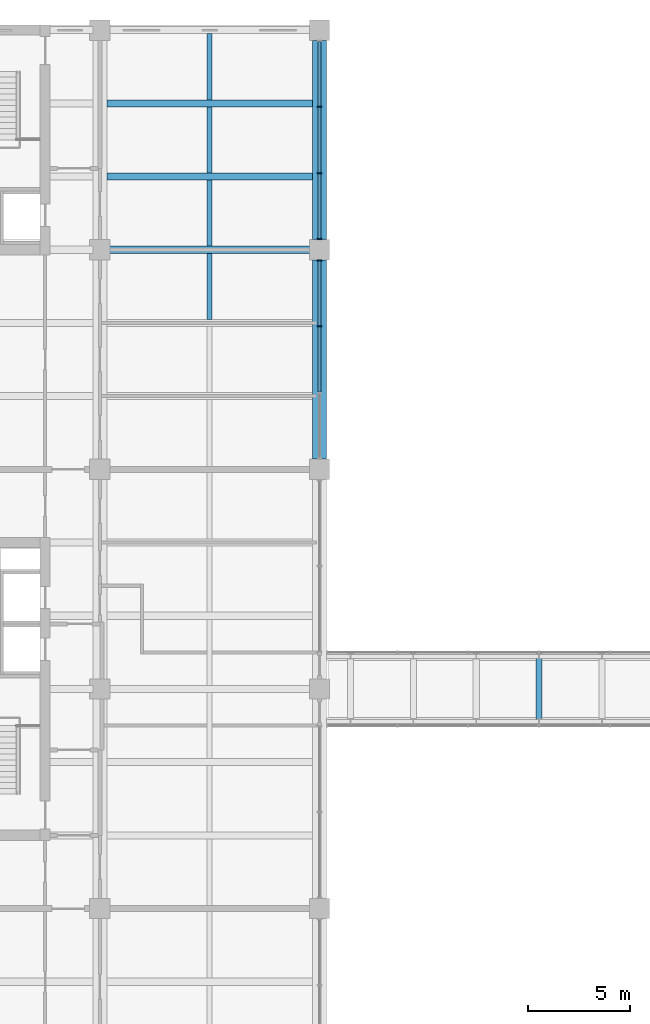
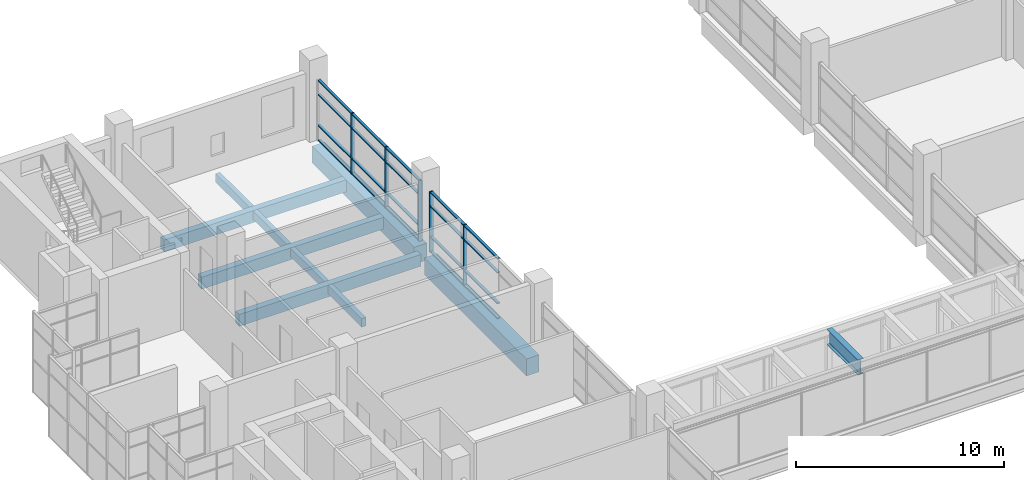
# One storey, part 12 of 35: 26 members, 9 beams, 2 elements without a shape of their own.
"""IFC4 building model written with IfcOpenShell, lengths in metres."""

from ifc_helpers import new_model, si_unit, direction, frame, origin, origin_2d, place, context, subcontext, project, spatial, rectangle, i_section, extrude, material, layer, layer_set, material_profile, profile_set, type_object, element, aggregate, save


model = new_model("IFC4")

# Units and contexts
model_context = context("Model", 3, precision=1e-05, world=origin(), true_north=direction((0.0, 1.0)))
body_context = subcontext(model_context, "Body", "Model", "MODEL_VIEW")
ifc_project = project(units=[si_unit("LENGTHUNIT", "METRE"), si_unit("AREAUNIT", "SQUARE_METRE"), si_unit("VOLUMEUNIT", "CUBIC_METRE"), si_unit("PLANEANGLEUNIT", "RADIAN"), si_unit("MASSUNIT", "GRAM", prefix="KILO")], contexts=[model_context])

# Site, building, storey
site_placement = place(None, origin())
site = spatial("IfcSite", under=ifc_project, at=site_placement, CompositionType="ELEMENT")
building_placement = place(site_placement, origin())
building = spatial("IfcBuilding", under=site, at=building_placement, Name="Basin Gate Institute", CompositionType="ELEMENT")
storey_placement = place(building_placement, frame((0.0, 0.0, 31.800048828125)))
storey = spatial("IfcBuildingStorey", under=building, at=storey_placement, Name="L06", CompositionType="ELEMENT", Elevation=31.800048828125)

# Beams
ifc_material_1 = material(Name="Concrete 40 MPa", Category="concrete")
ifc_material_profile_1 = material_profile(ifc_material_1, rectangle(XDim=0.35009765625, YDim=0.699951171875, at=origin_2d()), Name="Beam B1 350 x 700")
ifc_profile_set_1 = profile_set([ifc_material_profile_1], Name="Concrete 40 MPa")
beam_type_1 = type_object("IfcBeamType", Name="Beam B1 R120", PredefinedType="BEAM", material=ifc_profile_set_1)
for number, where, z_axis, x_axis, name in (
    (1, (68.75, 89.10009765625, -0.60009765625), (1.0, 0.0, 0.0), (0.0, 1.0, 0.0), "BEAM/L06/W/EW/16"),
    (2, (68.75, 92.699951171875, -0.60009765625), (1.0, 0.0, 0.0), (0.0, 1.0, 0.0), "BEAM/L06/W/EW/17"),
    (3, (68.75, 96.300048828125, -0.60009765625), (1.0, 0.0, 0.0), (0.0, 1.0, 0.0), "BEAM/L06/W/EW/18"),
):
    element("IfcBeam", number, at=place(storey_placement, frame(where, z_axis=z_axis, x_axis=x_axis)), inside=storey, type_object=beam_type_1, material=ifc_profile_set_1, Name=name, PredefinedType="BEAM", context=body_context, shape_type="SweptSolid", body=[
        extrude(rectangle(XDim=0.35009765625, YDim=0.699951171875, at=origin_2d()), origin(), (0.0, 0.0, 1.0), 10.10009765625),
    ])

# Member
ifc_material_2 = material(Name="Structural steel SN490", Category="steel")
ifc_material_profile_2 = material_profile(ifc_material_2, i_section(OverallWidth=0.300048828125, OverallDepth=0.89990234375, WebThickness=0.01611328125, FlangeThickness=0.028076171875, FilletRadius=0.028076171875, at=origin_2d()), Name="H900x300")
ifc_profile_set_2 = profile_set([ifc_material_profile_2], Name="Structural steel SN490")
member_type_1 = type_object("IfcMemberType", Name="Bridge roof beam SG1 R120", PredefinedType="PURLIN", material=ifc_profile_set_2)
member_1_placement = place(storey_placement, frame((90.0, 66.0, 3.14990234375), z_axis=(0.0, 1.0, 0.0), x_axis=(-1.0, 0.0, 0.0)))
element("IfcMember", 4, at=member_1_placement, inside=storey, type_object=member_type_1, material=ifc_profile_set_2, Name="Bridge roof beam L06 4", PredefinedType="PURLIN", context=body_context, shape_type="SweptSolid", body=[
    extrude(i_section(OverallWidth=0.300048828125, OverallDepth=0.89990234375, WebThickness=0.01611328125, FlangeThickness=0.028076171875, FilletRadius=0.028076171875, at=origin_2d()), origin(), (0.0, 0.0, 1.0), 3.0),
])

# Beams
ifc_material_3 = material(Name="Concrete 50 MPa", Category="concrete")
ifc_material_profile_3 = material_profile(ifc_material_3, rectangle(XDim=0.699951171875, YDim=1.0, at=origin_2d()), Name="Girder G1 700 x 1000")
ifc_profile_set_3 = profile_set([ifc_material_profile_3], Name="Concrete 50 MPa")
beam_type_2 = type_object("IfcBeamType", Name="Girder G1 R120", PredefinedType="BEAM", material=ifc_profile_set_3)
beam_1_placement = place(storey_placement, frame((79.199951171875, 78.800048828125, -0.75), z_axis=(0.0, 1.0, 0.0), x_axis=(-1.0, 0.0, 0.0)))
element("IfcBeam", 5, at=beam_1_placement, inside=storey, type_object=beam_type_2, material=ifc_profile_set_3, Name="GIR/L06/W6/5", PredefinedType="BEAM", context=body_context, shape_type="SweptSolid", body=[
    extrude(rectangle(XDim=0.699951171875, YDim=1.0, at=origin_2d()), origin(), (0.0, 0.0, 1.0), 9.800048828125),
])
beam_2_placement = place(storey_placement, frame((79.199951171875, 89.60009765625, -0.75), z_axis=(0.0, 1.0, 0.0), x_axis=(-1.0, 0.0, 0.0)))
element("IfcBeam", 6, at=beam_2_placement, inside=storey, type_object=beam_type_2, material=ifc_profile_set_3, Name="GIR/L06/W6/6", PredefinedType="BEAM", context=body_context, shape_type="SweptSolid", body=[
    extrude(rectangle(XDim=0.699951171875, YDim=1.0, at=origin_2d()), origin(), (0.0, 0.0, 1.0), 9.7998046875),
])

# Curtain wall, members
ifc_material_4 = material(Name="Aluminium-framed glazing", Category="aluminium")
ifc_layer = layer(ifc_material_4, 0.199951171875)
ifc_layer_set = layer_set([ifc_layer], Name="Atrium curtain wall CW2")
curtain_wall_type = type_object("IfcCurtainWallType", Name="Atrium curtain wall CW2", PredefinedType="NOTDEFINED", material=ifc_layer_set)
curtain_wall_1_placement = place(storey_placement, origin())
curtain_wall_1 = element("IfcCurtainWall", 7, at=curtain_wall_1_placement, inside=storey, type_object=curtain_wall_type, material=ifc_layer_set, Name="Atrium curtain wall W wing atrium bay 5 L06", PredefinedType="NOTDEFINED")
ifc_material_5 = material(Name="Aluminium", Category="aluminium")
ifc_material_profile_4 = material_profile(ifc_material_5, rectangle(XDim=0.199951171875, YDim=0.06005859375, at=origin_2d()), Name="Mullion MU2 200 x 60")
ifc_profile_set_4 = profile_set([ifc_material_profile_4], Name="Aluminium")
member_type_2 = type_object("IfcMemberType", Name="Mullion MU2", PredefinedType="MULLION", material=ifc_profile_set_4)
member_2_placement = place(storey_placement, frame((79.199951171875, 85.333251953125, 0.0), z_axis=(0.0, 0.0, 1.0), x_axis=(-1.0, 0.0, 0.0)))
member_2 = element("IfcMember", 8, at=member_2_placement, type_object=member_type_2, material=ifc_profile_set_4, Name="CW2 mullion 3", PredefinedType="MULLION", context=body_context, shape_type="SweptSolid", body=[
    extrude(rectangle(XDim=0.199951171875, YDim=0.06005859375, at=origin_2d()), origin(), (0.0, 0.0, 1.0), 3.550048828125),
])
member_3_placement = place(storey_placement, frame((79.199951171875, 88.570068359375, 0.0), z_axis=(0.0, 0.0, 1.0), x_axis=(-1.0, 0.0, 0.0)))
member_3 = element("IfcMember", 9, at=member_3_placement, type_object=member_type_2, material=ifc_profile_set_4, Name="CW2 mullion 4", PredefinedType="MULLION", context=body_context, shape_type="SweptSolid", body=[
    extrude(rectangle(XDim=0.199951171875, YDim=0.06005859375, at=origin_2d()), origin(), (0.0, 0.0, 1.0), 3.550048828125),
])

curtain_wall_2_placement = place(storey_placement, origin())
curtain_wall_2 = element("IfcCurtainWall", 10, at=curtain_wall_2_placement, inside=storey, type_object=curtain_wall_type, material=ifc_layer_set, Name="Atrium curtain wall W wing atrium bay 6 L06", PredefinedType="NOTDEFINED")
member_4_placement = place(storey_placement, frame((79.199951171875, 89.6298828125, 0.0), z_axis=(0.0, 0.0, 1.0), x_axis=(-1.0, 0.0, 0.0)))
member_4 = element("IfcMember", 11, at=member_4_placement, type_object=member_type_2, material=ifc_profile_set_4, Name="CW2 mullion 1", PredefinedType="MULLION", context=body_context, shape_type="SweptSolid", body=[
    extrude(rectangle(XDim=0.199951171875, YDim=0.06005859375, at=origin_2d()), origin(), (0.0, 0.0, 1.0), 3.550048828125),
])
member_5_placement = place(storey_placement, frame((79.199951171875, 92.86669921875, 0.0), z_axis=(0.0, 0.0, 1.0), x_axis=(-1.0, 0.0, 0.0)))
member_5 = element("IfcMember", 12, at=member_5_placement, type_object=member_type_2, material=ifc_profile_set_4, Name="CW2 mullion 2", PredefinedType="MULLION", context=body_context, shape_type="SweptSolid", body=[
    extrude(rectangle(XDim=0.199951171875, YDim=0.06005859375, at=origin_2d()), origin(), (0.0, 0.0, 1.0), 3.550048828125),
])
member_6_placement = place(storey_placement, frame((79.199951171875, 96.13330078125, 0.0), z_axis=(0.0, 0.0, 1.0), x_axis=(-1.0, 0.0, 0.0)))
member_6 = element("IfcMember", 13, at=member_6_placement, type_object=member_type_2, material=ifc_profile_set_4, Name="CW2 mullion 3", PredefinedType="MULLION", context=body_context, shape_type="SweptSolid", body=[
    extrude(rectangle(XDim=0.199951171875, YDim=0.06005859375, at=origin_2d()), origin(), (0.0, 0.0, 1.0), 3.550048828125),
])

# Beams
ifc_material_6 = material(Name="Concrete 40 MPa", Category="concrete")
ifc_material_profile_5 = material_profile(ifc_material_6, rectangle(XDim=0.25, YDim=0.5, at=origin_2d()), Name="Rib R1 250 x 500")
ifc_profile_set_5 = profile_set([ifc_material_profile_5], Name="Concrete 40 MPa")
beam_type_3 = type_object("IfcBeamType", Name="Rib R1 R120", PredefinedType="JOIST", material=ifc_profile_set_5)
for number, where, z_axis, x_axis, name in (
    (14, (73.800048828125, 85.675048828125, -0.5), (0.0, 1.0, 0.0), (-1.0, 0.0, 0.0), "BEAM/L06/W/RIB/15"),
    (15, (73.800048828125, 89.27490234375, -0.5), (0.0, 1.0, 0.0), (-1.0, 0.0, 0.0), "BEAM/L06/W/RIB/16"),
    (16, (73.800048828125, 92.875, -0.5), (0.0, 1.0, 0.0), (-1.0, 0.0, 0.0), "BEAM/L06/W/RIB/17"),
    (17, (73.800048828125, 96.47509765625, -0.5), (0.0, 1.0, 0.0), (-1.0, 0.0, 0.0), "BEAM/L06/W/RIB/18"),
):
    element("IfcBeam", number, at=place(storey_placement, frame(where, z_axis=z_axis, x_axis=x_axis)), inside=storey, type_object=beam_type_3, material=ifc_profile_set_5, Name=name, PredefinedType="JOIST", context=body_context, shape_type="SweptSolid", body=[
        extrude(rectangle(XDim=0.25, YDim=0.5, at=origin_2d()), origin(), (0.0, 0.0, 1.0), 3.25),
    ])

# Member
ifc_material_7 = material(Name="Aluminium", Category="aluminium")
ifc_material_profile_6 = material_profile(ifc_material_7, rectangle(XDim=0.14990234375, YDim=0.06005859375, at=origin_2d()), Name="Transom TR2 150 x 60")
ifc_profile_set_6 = profile_set([ifc_material_profile_6], Name="Aluminium")
member_type_3 = type_object("IfcMemberType", Name="Transom TR2", PredefinedType="USERDEFINED", material=ifc_profile_set_6)
member_7_placement = place(storey_placement, frame((79.199951171875, 82.0966796875, 0.030029296875), z_axis=(0.0, 1.0, 0.0), x_axis=(-1.0, 0.0, 0.0)))
member_7 = element("IfcMember", 18, at=member_7_placement, type_object=member_type_3, material=ifc_profile_set_6, Name="CW2 transom 2.1", ObjectType="TRANSOM", PredefinedType="USERDEFINED", context=body_context, shape_type="SweptSolid", body=[
    extrude(rectangle(XDim=0.14990234375, YDim=0.06005859375, at=origin_2d()), origin(), (0.0, 0.0, 1.0), 3.20654296875),
])

member_8_placement = place(storey_placement, frame((79.199951171875, 82.0966796875, 0.89990234375), z_axis=(0.0, 1.0, 0.0), x_axis=(-1.0, 0.0, 0.0)))
member_8 = element("IfcMember", 19, at=member_8_placement, type_object=member_type_3, material=ifc_profile_set_6, Name="CW2 transom 2.2", ObjectType="TRANSOM", PredefinedType="USERDEFINED", context=body_context, shape_type="SweptSolid", body=[
    extrude(rectangle(XDim=0.14990234375, YDim=0.06005859375, at=origin_2d()), origin(), (0.0, 0.0, 1.0), 3.20654296875),
])

member_9_placement = place(storey_placement, frame((79.199951171875, 82.0966796875, 2.699951171875), z_axis=(0.0, 1.0, 0.0), x_axis=(-1.0, 0.0, 0.0)))
member_9 = element("IfcMember", 20, at=member_9_placement, type_object=member_type_3, material=ifc_profile_set_6, Name="CW2 transom 2.3", ObjectType="TRANSOM", PredefinedType="USERDEFINED", context=body_context, shape_type="SweptSolid", body=[
    extrude(rectangle(XDim=0.14990234375, YDim=0.06005859375, at=origin_2d()), origin(), (0.0, 0.0, 1.0), 3.20654296875),
])

member_10_placement = place(storey_placement, frame((79.199951171875, 82.0966796875, 3.52001953125), z_axis=(0.0, 1.0, 0.0), x_axis=(-1.0, 0.0, 0.0)))
member_10 = element("IfcMember", 21, at=member_10_placement, type_object=member_type_3, material=ifc_profile_set_6, Name="CW2 transom 2.4", ObjectType="TRANSOM", PredefinedType="USERDEFINED", context=body_context, shape_type="SweptSolid", body=[
    extrude(rectangle(XDim=0.14990234375, YDim=0.06005859375, at=origin_2d()), origin(), (0.0, 0.0, 1.0), 3.20654296875),
])

member_11_placement = place(storey_placement, frame((79.199951171875, 85.36328125, 0.030029296875), z_axis=(0.0, 1.0, 0.0), x_axis=(-1.0, 0.0, 0.0)))
member_11 = element("IfcMember", 22, at=member_11_placement, type_object=member_type_3, material=ifc_profile_set_6, Name="CW2 transom 3.1", ObjectType="TRANSOM", PredefinedType="USERDEFINED", context=body_context, shape_type="SweptSolid", body=[
    extrude(rectangle(XDim=0.14990234375, YDim=0.06005859375, at=origin_2d()), origin(), (0.0, 0.0, 1.0), 3.1767578125),
])

member_12_placement = place(storey_placement, frame((79.199951171875, 85.36328125, 0.89990234375), z_axis=(0.0, 1.0, 0.0), x_axis=(-1.0, 0.0, 0.0)))
member_12 = element("IfcMember", 23, at=member_12_placement, type_object=member_type_3, material=ifc_profile_set_6, Name="CW2 transom 3.2", ObjectType="TRANSOM", PredefinedType="USERDEFINED", context=body_context, shape_type="SweptSolid", body=[
    extrude(rectangle(XDim=0.14990234375, YDim=0.06005859375, at=origin_2d()), origin(), (0.0, 0.0, 1.0), 3.1767578125),
])

member_13_placement = place(storey_placement, frame((79.199951171875, 85.36328125, 2.699951171875), z_axis=(0.0, 1.0, 0.0), x_axis=(-1.0, 0.0, 0.0)))
member_13 = element("IfcMember", 24, at=member_13_placement, type_object=member_type_3, material=ifc_profile_set_6, Name="CW2 transom 3.3", ObjectType="TRANSOM", PredefinedType="USERDEFINED", context=body_context, shape_type="SweptSolid", body=[
    extrude(rectangle(XDim=0.14990234375, YDim=0.06005859375, at=origin_2d()), origin(), (0.0, 0.0, 1.0), 3.1767578125),
])

member_14_placement = place(storey_placement, frame((79.199951171875, 85.36328125, 3.52001953125), z_axis=(0.0, 1.0, 0.0), x_axis=(-1.0, 0.0, 0.0)))
member_14 = element("IfcMember", 25, at=member_14_placement, type_object=member_type_3, material=ifc_profile_set_6, Name="CW2 transom 3.4", ObjectType="TRANSOM", PredefinedType="USERDEFINED", context=body_context, shape_type="SweptSolid", body=[
    extrude(rectangle(XDim=0.14990234375, YDim=0.06005859375, at=origin_2d()), origin(), (0.0, 0.0, 1.0), 3.1767578125),
])

aggregate(curtain_wall_1, [member_2, member_3, member_7, member_8, member_9, member_10, member_11, member_12, member_13, member_14])

member_15_placement = place(storey_placement, frame((79.199951171875, 89.659912109375, 0.030029296875), z_axis=(0.0, 1.0, 0.0), x_axis=(-1.0, 0.0, 0.0)))
member_15 = element("IfcMember", 26, at=member_15_placement, type_object=member_type_3, material=ifc_profile_set_6, Name="CW2 transom 1.1", ObjectType="TRANSOM", PredefinedType="USERDEFINED", context=body_context, shape_type="SweptSolid", body=[
    extrude(rectangle(XDim=0.14990234375, YDim=0.06005859375, at=origin_2d()), origin(), (0.0, 0.0, 1.0), 3.1767578125),
])

member_16_placement = place(storey_placement, frame((79.199951171875, 89.659912109375, 0.89990234375), z_axis=(0.0, 1.0, 0.0), x_axis=(-1.0, 0.0, 0.0)))
member_16 = element("IfcMember", 27, at=member_16_placement, type_object=member_type_3, material=ifc_profile_set_6, Name="CW2 transom 1.2", ObjectType="TRANSOM", PredefinedType="USERDEFINED", context=body_context, shape_type="SweptSolid", body=[
    extrude(rectangle(XDim=0.14990234375, YDim=0.06005859375, at=origin_2d()), origin(), (0.0, 0.0, 1.0), 3.1767578125),
])

member_17_placement = place(storey_placement, frame((79.199951171875, 89.659912109375, 2.699951171875), z_axis=(0.0, 1.0, 0.0), x_axis=(-1.0, 0.0, 0.0)))
member_17 = element("IfcMember", 28, at=member_17_placement, type_object=member_type_3, material=ifc_profile_set_6, Name="CW2 transom 1.3", ObjectType="TRANSOM", PredefinedType="USERDEFINED", context=body_context, shape_type="SweptSolid", body=[
    extrude(rectangle(XDim=0.14990234375, YDim=0.06005859375, at=origin_2d()), origin(), (0.0, 0.0, 1.0), 3.1767578125),
])

member_18_placement = place(storey_placement, frame((79.199951171875, 89.659912109375, 3.52001953125), z_axis=(0.0, 1.0, 0.0), x_axis=(-1.0, 0.0, 0.0)))
member_18 = element("IfcMember", 29, at=member_18_placement, type_object=member_type_3, material=ifc_profile_set_6, Name="CW2 transom 1.4", ObjectType="TRANSOM", PredefinedType="USERDEFINED", context=body_context, shape_type="SweptSolid", body=[
    extrude(rectangle(XDim=0.14990234375, YDim=0.06005859375, at=origin_2d()), origin(), (0.0, 0.0, 1.0), 3.1767578125),
])

member_19_placement = place(storey_placement, frame((79.199951171875, 92.896728515625, 0.030029296875), z_axis=(0.0, 1.0, 0.0), x_axis=(-1.0, 0.0, 0.0)))
member_19 = element("IfcMember", 30, at=member_19_placement, type_object=member_type_3, material=ifc_profile_set_6, Name="CW2 transom 2.1", ObjectType="TRANSOM", PredefinedType="USERDEFINED", context=body_context, shape_type="SweptSolid", body=[
    extrude(rectangle(XDim=0.14990234375, YDim=0.06005859375, at=origin_2d()), origin(), (0.0, 0.0, 1.0), 3.20654296875),
])

member_20_placement = place(storey_placement, frame((79.199951171875, 92.896728515625, 0.89990234375), z_axis=(0.0, 1.0, 0.0), x_axis=(-1.0, 0.0, 0.0)))
member_20 = element("IfcMember", 31, at=member_20_placement, type_object=member_type_3, material=ifc_profile_set_6, Name="CW2 transom 2.2", ObjectType="TRANSOM", PredefinedType="USERDEFINED", context=body_context, shape_type="SweptSolid", body=[
    extrude(rectangle(XDim=0.14990234375, YDim=0.06005859375, at=origin_2d()), origin(), (0.0, 0.0, 1.0), 3.20654296875),
])

member_21_placement = place(storey_placement, frame((79.199951171875, 92.896728515625, 2.699951171875), z_axis=(0.0, 1.0, 0.0), x_axis=(-1.0, 0.0, 0.0)))
member_21 = element("IfcMember", 32, at=member_21_placement, type_object=member_type_3, material=ifc_profile_set_6, Name="CW2 transom 2.3", ObjectType="TRANSOM", PredefinedType="USERDEFINED", context=body_context, shape_type="SweptSolid", body=[
    extrude(rectangle(XDim=0.14990234375, YDim=0.06005859375, at=origin_2d()), origin(), (0.0, 0.0, 1.0), 3.20654296875),
])

member_22_placement = place(storey_placement, frame((79.199951171875, 92.896728515625, 3.52001953125), z_axis=(0.0, 1.0, 0.0), x_axis=(-1.0, 0.0, 0.0)))
member_22 = element("IfcMember", 33, at=member_22_placement, type_object=member_type_3, material=ifc_profile_set_6, Name="CW2 transom 2.4", ObjectType="TRANSOM", PredefinedType="USERDEFINED", context=body_context, shape_type="SweptSolid", body=[
    extrude(rectangle(XDim=0.14990234375, YDim=0.06005859375, at=origin_2d()), origin(), (0.0, 0.0, 1.0), 3.20654296875),
])

member_23_placement = place(storey_placement, frame((79.199951171875, 96.163330078125, 0.030029296875), z_axis=(0.0, 1.0, 0.0), x_axis=(-1.0, 0.0, 0.0)))
member_23 = element("IfcMember", 34, at=member_23_placement, type_object=member_type_3, material=ifc_profile_set_6, Name="CW2 transom 3.1", ObjectType="TRANSOM", PredefinedType="USERDEFINED", context=body_context, shape_type="SweptSolid", body=[
    extrude(rectangle(XDim=0.14990234375, YDim=0.06005859375, at=origin_2d()), origin(), (0.0, 0.0, 1.0), 3.1767578125),
])

member_24_placement = place(storey_placement, frame((79.199951171875, 96.163330078125, 0.89990234375), z_axis=(0.0, 1.0, 0.0), x_axis=(-1.0, 0.0, 0.0)))
member_24 = element("IfcMember", 35, at=member_24_placement, type_object=member_type_3, material=ifc_profile_set_6, Name="CW2 transom 3.2", ObjectType="TRANSOM", PredefinedType="USERDEFINED", context=body_context, shape_type="SweptSolid", body=[
    extrude(rectangle(XDim=0.14990234375, YDim=0.06005859375, at=origin_2d()), origin(), (0.0, 0.0, 1.0), 3.1767578125),
])

member_25_placement = place(storey_placement, frame((79.199951171875, 96.163330078125, 2.699951171875), z_axis=(0.0, 1.0, 0.0), x_axis=(-1.0, 0.0, 0.0)))
member_25 = element("IfcMember", 36, at=member_25_placement, type_object=member_type_3, material=ifc_profile_set_6, Name="CW2 transom 3.3", ObjectType="TRANSOM", PredefinedType="USERDEFINED", context=body_context, shape_type="SweptSolid", body=[
    extrude(rectangle(XDim=0.14990234375, YDim=0.06005859375, at=origin_2d()), origin(), (0.0, 0.0, 1.0), 3.1767578125),
])

member_26_placement = place(storey_placement, frame((79.199951171875, 96.163330078125, 3.52001953125), z_axis=(0.0, 1.0, 0.0), x_axis=(-1.0, 0.0, 0.0)))
member_26 = element("IfcMember", 37, at=member_26_placement, type_object=member_type_3, material=ifc_profile_set_6, Name="CW2 transom 3.4", ObjectType="TRANSOM", PredefinedType="USERDEFINED", context=body_context, shape_type="SweptSolid", body=[
    extrude(rectangle(XDim=0.14990234375, YDim=0.06005859375, at=origin_2d()), origin(), (0.0, 0.0, 1.0), 3.1767578125),
])

aggregate(curtain_wall_2, [member_4, member_5, member_6, member_15, member_16, member_17, member_18, member_19, member_20, member_21, member_22, member_23, member_24, member_25, member_26])

save(model, "model.ifc")
